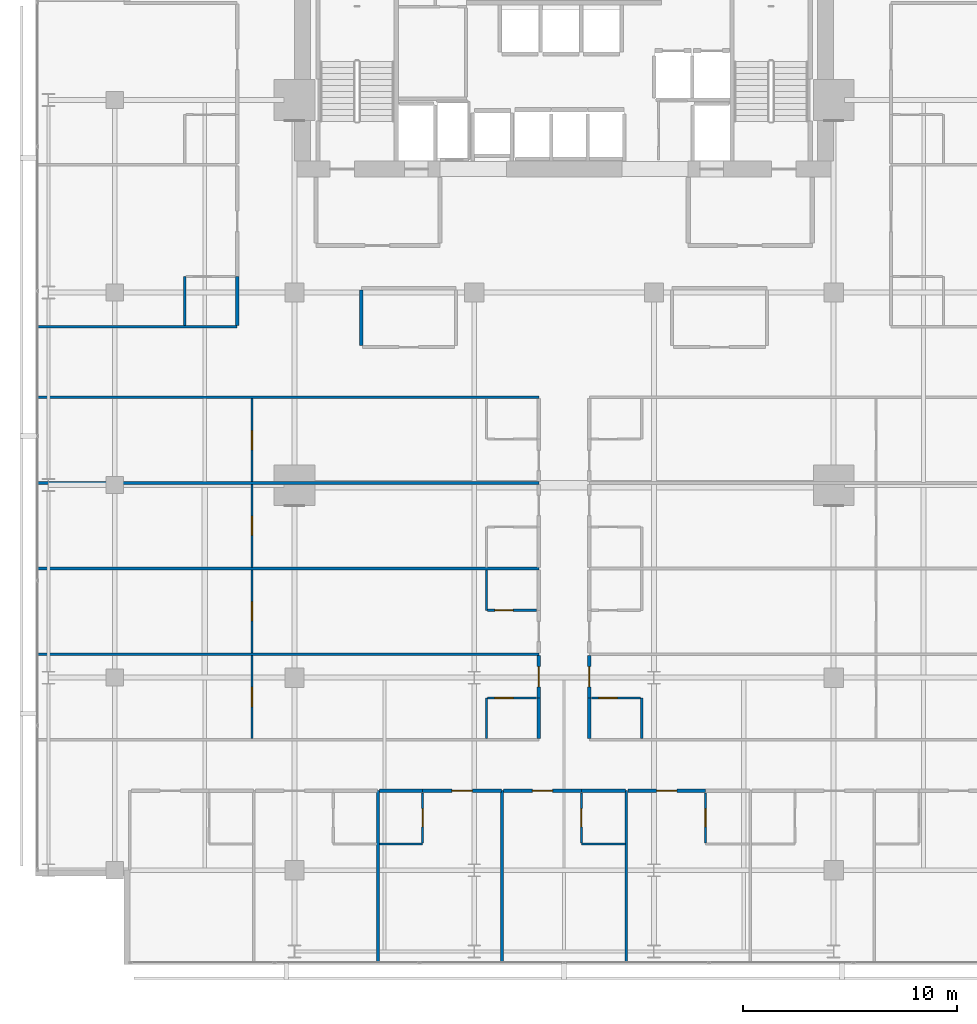
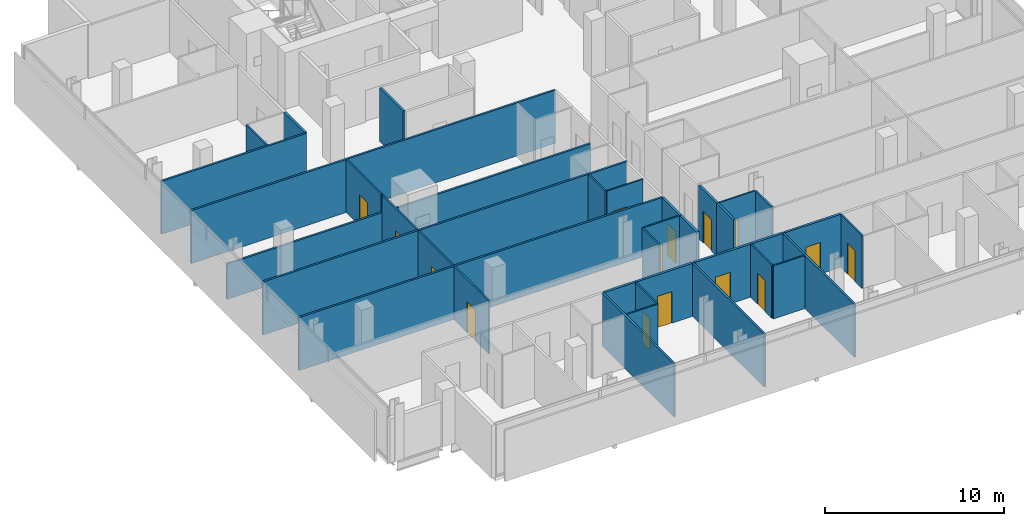
# One storey, part 27 of 34: 35 walls, 15 doors, 15 openings.
"""IFC4 building model written with IfcOpenShell, lengths in metres."""

from ifc_helpers import new_model, si_unit, direction, frame, frame_2d, origin, place, context, subcontext, project, spatial, rectangle, extrude, material, layer, layer_set, type_object, element, fill, save


model = new_model("IFC4")

# Units and contexts
model_context = context("Model", 3, precision=1e-05, world=origin(), true_north=direction((0.0, 1.0)))
body_context = subcontext(model_context, "Body", "Model", "MODEL_VIEW")
ifc_project = project(units=[si_unit("LENGTHUNIT", "METRE"), si_unit("AREAUNIT", "SQUARE_METRE"), si_unit("VOLUMEUNIT", "CUBIC_METRE"), si_unit("PLANEANGLEUNIT", "RADIAN"), si_unit("MASSUNIT", "GRAM", prefix="KILO")], contexts=[model_context])

# Site, building, storey
site_placement = place(None, origin())
site = spatial("IfcSite", under=ifc_project, at=site_placement, CompositionType="ELEMENT")
building_placement = place(site_placement, origin())
building = spatial("IfcBuilding", under=site, at=building_placement, Name="Maruvema Waterfront Hotel and Observation Tower", CompositionType="ELEMENT")
storey_placement = place(building_placement, frame((0.0, 0.0, 131.25)))
storey = spatial("IfcBuildingStorey", under=building, at=storey_placement, Name="L31", CompositionType="ELEMENT", Elevation=131.25)

# Walls
ifc_material_1 = material(Name="Twin-stud acoustic gypsum drywall", Category="gypsum")
ifc_layer_1 = layer(ifc_material_1, 0.14990234375, Name="Acoustic Corridor and Suite Demising Wall 150 mm")
ifc_layer_set_1 = layer_set([ifc_layer_1], Name="Twin-stud acoustic gypsum drywall")
wall_type_1 = type_object("IfcWallType", Name="Acoustic Corridor and Suite Demising Wall 150 mm", PredefinedType="PARTITIONING", material=ifc_layer_set_1)
wall_1_placement = place(storey_placement, frame((28.320068359375, 33.530029296875, 0.0), z_axis=(0.0, 0.0, 1.0), x_axis=(0.0, 1.0, 0.0)))
element("IfcWall", 1, at=wall_1_placement, inside=storey, type_object=wall_type_1, Name="L31 L31-M1 West Wall 018", PredefinedType="PARTITIONING", context=body_context, shape_type="SweptSolid", body=[
    extrude(rectangle(XDim=2.590087890625, YDim=0.14990234375, at=frame_2d((1.294921875, 0.0))), origin(), (0.0, 0.0, 1.0), 3.610107421875),
])
wall_2_placement = place(storey_placement, frame((29.179931640625, 12.719970703125, 0.0), z_axis=(0.0, 0.0, 1.0), x_axis=(1.0, 0.0, 0.0)))
element("IfcWall", 2, at=wall_2_placement, inside=storey, type_object=wall_type_1, Name="L31 Bath L31-S3 Back Wall 037", PredefinedType="PARTITIONING", context=body_context, shape_type="SweptSolid", body=[
    extrude(rectangle(XDim=2.010009765625, YDim=0.14990234375, at=frame_2d((1.0048828125, 0.0))), origin(), (0.0, 0.0, 1.0), 3.610107421875),
])

# Wall, opening, door
wall_3_placement = place(storey_placement, frame((31.18994140625, 12.719970703125, 0.0), z_axis=(0.0, 0.0, 1.0), x_axis=(1.0, 0.0, 0.0)))
wall_3 = element("IfcWall", 3, at=wall_3_placement, inside=storey, type_object=wall_type_1, Name="L31 Unit L31-S3 Corridor Wall 040", PredefinedType="PARTITIONING", context=body_context, shape_type="SweptSolid", body=[
    extrude(rectangle(XDim=3.68994140625, YDim=0.14990234375, at=frame_2d((1.844970703125, 0.0))), origin(), (0.0, 0.0, 1.0), 3.610107421875),
])
opening_1_placement = place(wall_3_placement, frame((1.3701171875, 0.0, 0.0)))
opening_1 = element("IfcOpeningElement", 4, at=opening_1_placement, cuts=wall_3, Name="Opening DR-095", PredefinedType="OPENING", context=body_context, shape_type="SweptSolid", body=[
    extrude(rectangle(XDim=0.949951171875, YDim=2.14990234375, at=frame_2d((0.47509765625, 1.074951171875))), frame((0.0, 0.0849609375, 0.0), z_axis=(0.0, -1.0, 0.0), x_axis=(1.0, 0.0, 0.0)), (0.0, 0.0, 1.0), 0.169921875),
])
ifc_material_2 = material(Name="Acoustic solid-core hardwood timber leaf", Category="wood")
door_type_1 = type_object("IfcDoorType", Name="Guestroom Entrance Fire Door 950x2150 mm", OperationType="NOTDEFINED", PredefinedType="DOOR", material=ifc_material_2)
door_1_placement = place(opening_1_placement, frame((0.949951171875, 0.0, 0.0), z_axis=(0.0, 0.0, 1.0), x_axis=(-1.0, 0.0, 0.0)))
door_1 = element("IfcDoor", 5, at=door_1_placement, inside=storey, type_object=door_type_1, Name="L31 Unit L31-S3 Entrance Door", OperationType="SINGLE_SWING_RIGHT", OverallHeight=2.14990234375, OverallWidth=0.949951171875, PredefinedType="DOOR", context=body_context, shape_type="SweptSolid", body=[
    extrude(rectangle(XDim=0.949951171875, YDim=2.14990234375, at=frame_2d((0.47509765625, 1.074951171875))), frame((0.0, 0.02490234375, 0.0), z_axis=(0.0, -1.0, 0.0), x_axis=(1.0, 0.0, 0.0)), (0.0, 0.0, 1.0), 0.050048828125),
])
fill(opening_1, door_1)

# Wall
wall_4_placement = place(storey_placement, frame((38.610107421875, 12.719970703125, 0.0), z_axis=(0.0, 0.0, 1.0), x_axis=(1.0, 0.0, 0.0)))
element("IfcWall", 6, at=wall_4_placement, inside=storey, type_object=wall_type_1, Name="L31 Bath L31-S4 Back Wall 042", PredefinedType="PARTITIONING", context=body_context, shape_type="SweptSolid", body=[
    extrude(rectangle(XDim=2.06982421875, YDim=0.14990234375, at=frame_2d((1.034912109375, 0.0))), origin(), (0.0, 0.0, 1.0), 3.610107421875),
])

# Wall, opening, door
wall_5_placement = place(storey_placement, frame((34.97998046875, 12.719970703125, 0.0), z_axis=(0.0, 0.0, 1.0), x_axis=(1.0, 0.0, 0.0)))
wall_5 = element("IfcWall", 7, at=wall_5_placement, inside=storey, type_object=wall_type_1, Name="L31 Unit L31-S4 Corridor Wall 045", PredefinedType="PARTITIONING", context=body_context, shape_type="SweptSolid", body=[
    extrude(rectangle(XDim=3.630126953125, YDim=0.14990234375, at=frame_2d((1.81494140625, 0.0))), origin(), (0.0, 0.0, 1.0), 3.610107421875),
])
opening_2_placement = place(wall_5_placement, frame((1.340087890625, 0.0, 0.0)))
opening_2 = element("IfcOpeningElement", 8, at=opening_2_placement, cuts=wall_5, Name="Opening DR-095", PredefinedType="OPENING", context=body_context, shape_type="SweptSolid", body=[
    extrude(rectangle(XDim=0.949951171875, YDim=2.14990234375, at=frame_2d((0.47509765625, 1.074951171875))), frame((0.0, 0.0849609375, 0.0), z_axis=(0.0, -1.0, 0.0), x_axis=(1.0, 0.0, 0.0)), (0.0, 0.0, 1.0), 0.169921875),
])
door_2_placement = place(opening_2_placement, frame((0.949951171875, 0.0, 0.0), z_axis=(0.0, 0.0, 1.0), x_axis=(-1.0, 0.0, 0.0)))
door_2 = element("IfcDoor", 9, at=door_2_placement, inside=storey, type_object=door_type_1, Name="L31 Unit L31-S4 Entrance Door", OperationType="SINGLE_SWING_RIGHT", OverallHeight=2.14990234375, OverallWidth=0.949951171875, PredefinedType="DOOR", context=body_context, shape_type="SweptSolid", body=[
    extrude(rectangle(XDim=0.949951171875, YDim=2.14990234375, at=frame_2d((0.47509765625, 1.074951171875))), frame((0.0, 0.02490234375, 0.0), z_axis=(0.0, -1.0, 0.0), x_axis=(1.0, 0.0, 0.0)), (0.0, 0.0, 1.0), 0.050048828125),
])
fill(opening_2, door_2)

wall_6_placement = place(storey_placement, frame((40.780029296875, 12.719970703125, 0.0), z_axis=(0.0, 0.0, 1.0), x_axis=(1.0, 0.0, 0.0)))
wall_6 = element("IfcWall", 10, at=wall_6_placement, inside=storey, type_object=wall_type_1, Name="L31 Unit L31-S5 Corridor Wall 050", PredefinedType="PARTITIONING", context=body_context, shape_type="SweptSolid", body=[
    extrude(rectangle(XDim=3.6298828125, YDim=0.14990234375, at=frame_2d((1.81494140625, 0.0))), origin(), (0.0, 0.0, 1.0), 3.610107421875),
])
opening_3_placement = place(wall_6_placement, frame((1.340087890625, 0.0, 0.0)))
opening_3 = element("IfcOpeningElement", 11, at=opening_3_placement, cuts=wall_6, Name="Opening DR-095", PredefinedType="OPENING", context=body_context, shape_type="SweptSolid", body=[
    extrude(rectangle(XDim=0.949951171875, YDim=2.14990234375, at=frame_2d((0.47509765625, 1.074951171875))), frame((0.0, 0.0849609375, 0.0), z_axis=(0.0, -1.0, 0.0), x_axis=(1.0, 0.0, 0.0)), (0.0, 0.0, 1.0), 0.169921875),
])
door_3_placement = place(opening_3_placement, frame((0.949951171875, 0.0, 0.0), z_axis=(0.0, 0.0, 1.0), x_axis=(-1.0, 0.0, 0.0)))
door_3 = element("IfcDoor", 12, at=door_3_placement, inside=storey, type_object=door_type_1, Name="L31 Unit L31-S5 Entrance Door", OperationType="SINGLE_SWING_RIGHT", OverallHeight=2.14990234375, OverallWidth=0.949951171875, PredefinedType="DOOR", context=body_context, shape_type="SweptSolid", body=[
    extrude(rectangle(XDim=0.949951171875, YDim=2.14990234375, at=frame_2d((0.47509765625, 1.074951171875))), frame((0.0, 0.02490234375, 0.0), z_axis=(0.0, -1.0, 0.0), x_axis=(1.0, 0.0, 0.0)), (0.0, 0.0, 1.0), 0.050048828125),
])
fill(opening_3, door_3)

# Wall
wall_7_placement = place(storey_placement, frame((36.6201171875, 15.159912109375, 0.0), z_axis=(0.0, 0.0, 1.0), x_axis=(0.0, 1.0, 0.0)))
element("IfcWall", 13, at=wall_7_placement, inside=storey, type_object=wall_type_1, Name="L31 Bath L31-W1 Wall 065", PredefinedType="PARTITIONING", context=body_context, shape_type="SweptSolid", body=[
    extrude(rectangle(XDim=1.89013671875, YDim=0.14990234375, at=frame_2d((0.945068359375, 0.0))), origin(), (0.0, 0.0, 1.0), 3.610107421875),
])

# Wall, opening, door
wall_8_placement = place(storey_placement, frame((36.6201171875, 17.050048828125, 0.0), z_axis=(0.0, 0.0, 1.0), x_axis=(0.0, 1.0, 0.0)))
wall_8 = element("IfcWall", 14, at=wall_8_placement, inside=storey, type_object=wall_type_1, Name="L31 Room L31-W1 Corridor Wall 066", PredefinedType="PARTITIONING", context=body_context, shape_type="SweptSolid", body=[
    extrude(rectangle(XDim=1.989990234375, YDim=0.14990234375, at=frame_2d((0.9951171875, 0.0))), origin(), (0.0, 0.0, 1.0), 3.610107421875),
])
opening_4_placement = place(wall_8_placement, frame((0.52001953125, 0.0, 0.0)))
opening_4 = element("IfcOpeningElement", 15, at=opening_4_placement, cuts=wall_8, Name="Opening DR-095", PredefinedType="OPENING", context=body_context, shape_type="SweptSolid", body=[
    extrude(rectangle(XDim=0.949951171875, YDim=2.14990234375, at=frame_2d((0.47509765625, 1.074951171875))), frame((0.0, 0.0849609375, 0.0), z_axis=(0.0, -1.0, 0.0), x_axis=(1.0, 0.0, 0.0)), (0.0, 0.0, 1.0), 0.169921875),
])
door_4_placement = place(opening_4_placement, origin())
door_4 = element("IfcDoor", 16, at=door_4_placement, inside=storey, type_object=door_type_1, Name="L31 Room L31-W1 Entrance Door", OperationType="SINGLE_SWING_RIGHT", OverallHeight=2.14990234375, OverallWidth=0.949951171875, PredefinedType="DOOR", context=body_context, shape_type="SweptSolid", body=[
    extrude(rectangle(XDim=0.949951171875, YDim=2.14990234375, at=frame_2d((0.47509765625, 1.074951171875))), frame((0.0, 0.02490234375, 0.0), z_axis=(0.0, -1.0, 0.0), x_axis=(1.0, 0.0, 0.0)), (0.0, 0.0, 1.0), 0.050048828125),
])
fill(opening_4, door_4)

# Wall
wall_9_placement = place(storey_placement, frame((38.97998046875, 15.159912109375, 0.0), z_axis=(0.0, 0.0, 1.0), x_axis=(0.0, 1.0, 0.0)))
element("IfcWall", 17, at=wall_9_placement, inside=storey, type_object=wall_type_1, Name="L31 Bath L31-E1 Wall 070", PredefinedType="PARTITIONING", context=body_context, shape_type="SweptSolid", body=[
    extrude(rectangle(XDim=1.89013671875, YDim=0.14990234375, at=frame_2d((0.945068359375, 0.0))), origin(), (0.0, 0.0, 1.0), 3.610107421875),
])

# Wall, opening, door
wall_10_placement = place(storey_placement, frame((38.97998046875, 17.050048828125, 0.0), z_axis=(0.0, 0.0, 1.0), x_axis=(0.0, 1.0, 0.0)))
wall_10 = element("IfcWall", 18, at=wall_10_placement, inside=storey, type_object=wall_type_1, Name="L31 Room L31-E1 Corridor Wall 071", PredefinedType="PARTITIONING", context=body_context, shape_type="SweptSolid", body=[
    extrude(rectangle(XDim=1.989990234375, YDim=0.14990234375, at=frame_2d((0.9951171875, 0.0))), origin(), (0.0, 0.0, 1.0), 3.610107421875),
])
opening_5_placement = place(wall_10_placement, frame((0.52001953125, 0.0, 0.0)))
opening_5 = element("IfcOpeningElement", 19, at=opening_5_placement, cuts=wall_10, Name="Opening DR-095", PredefinedType="OPENING", context=body_context, shape_type="SweptSolid", body=[
    extrude(rectangle(XDim=0.949951171875, YDim=2.14990234375, at=frame_2d((0.47509765625, 1.074951171875))), frame((0.0, 0.0849609375, 0.0), z_axis=(0.0, -1.0, 0.0), x_axis=(1.0, 0.0, 0.0)), (0.0, 0.0, 1.0), 0.169921875),
])
door_5_placement = place(opening_5_placement, frame((0.949951171875, 0.0, 0.0), z_axis=(0.0, 0.0, 1.0), x_axis=(-1.0, 0.0, 0.0)))
door_5 = element("IfcDoor", 20, at=door_5_placement, inside=storey, type_object=door_type_1, Name="L31 Room L31-E1 Entrance Door", OperationType="SINGLE_SWING_LEFT", OverallHeight=2.14990234375, OverallWidth=0.949951171875, PredefinedType="DOOR", context=body_context, shape_type="SweptSolid", body=[
    extrude(rectangle(XDim=0.949951171875, YDim=2.14990234375, at=frame_2d((0.47509765625, 1.074951171875))), frame((0.0, 0.02490234375, 0.0), z_axis=(0.0, -1.0, 0.0), x_axis=(1.0, 0.0, 0.0)), (0.0, 0.0, 1.0), 0.050048828125),
])
fill(opening_5, door_5)

# Walls
wall_11_placement = place(storey_placement, frame((22.52001953125, 34.4599609375, 0.0), z_axis=(0.0, 0.0, 1.0), x_axis=(0.0, 1.0, 0.0)))
element("IfcWall", 21, at=wall_11_placement, inside=storey, type_object=wall_type_1, Name="L31 Bath L31-NW1 Wall 115", PredefinedType="PARTITIONING", context=body_context, shape_type="SweptSolid", body=[
    extrude(rectangle(XDim=2.2900390625, YDim=0.14990234375, at=frame_2d((1.14501953125, 0.0))), origin(), (0.0, 0.0, 1.0), 3.610107421875),
])
ifc_material_3 = material(Name="Moisture-resistant cement-board drywall", Category="gypsum")
ifc_layer_2 = layer(ifc_material_3, 0.10009765625, Name="En-Suite Moisture-Resistant Partition 100 mm")
ifc_layer_set_2 = layer_set([ifc_layer_2], Name="Moisture-resistant cement-board drywall")
wall_type_2 = type_object("IfcWallType", Name="En-Suite Moisture-Resistant Partition 100 mm", PredefinedType="PARTITIONING", material=ifc_layer_set_2)
wall_12_placement = place(storey_placement, frame((29.179931640625, 10.219970703125, 0.0), z_axis=(0.0, 0.0, 1.0), x_axis=(1.0, 0.0, 0.0)))
element("IfcWall", 22, at=wall_12_placement, inside=storey, type_object=wall_type_2, Name="L31 En-Suite L31-S3 South 038", PredefinedType="PARTITIONING", context=body_context, shape_type="SweptSolid", body=[
    extrude(rectangle(XDim=2.010009765625, YDim=0.10009765625, at=frame_2d((1.0048828125, 0.0))), origin(), (0.0, 0.0, 1.0), 3.610107421875),
])

# Wall, opening, door
wall_13_placement = place(storey_placement, frame((31.18994140625, 10.280029296875, 0.0), z_axis=(0.0, 0.0, 1.0), x_axis=(0.0, 1.0, 0.0)))
wall_13 = element("IfcWall", 23, at=wall_13_placement, inside=storey, type_object=wall_type_2, Name="L31 En-Suite L31-S3 East 039", PredefinedType="PARTITIONING", context=body_context, shape_type="SweptSolid", body=[
    extrude(rectangle(XDim=2.340087890625, YDim=0.10009765625, at=frame_2d((1.169921875, 0.0))), origin(), (0.0, 0.0, 1.0), 3.610107421875),
])
opening_6_placement = place(wall_13_placement, frame((0.7451171875, 0.0, 0.0)))
opening_6 = element("IfcOpeningElement", 24, at=opening_6_placement, cuts=wall_13, Name="Opening DR-085", PredefinedType="OPENING", context=body_context, shape_type="SweptSolid", body=[
    extrude(rectangle(XDim=0.85009765625, YDim=2.10009765625, at=frame_2d((0.425048828125, 1.050048828125))), frame((0.0, 0.06005859375, 0.0), z_axis=(0.0, -1.0, 0.0), x_axis=(1.0, 0.0, 0.0)), (0.0, 0.0, 1.0), 0.1201171875),
])
ifc_material_4 = material(Name="Moisture-resistant solid timber leaf", Category="wood")
door_type_2 = type_object("IfcDoorType", Name="En-Suite Bathroom Door 850x2100 mm", OperationType="NOTDEFINED", PredefinedType="DOOR", material=ifc_material_4)
door_6_placement = place(opening_6_placement, frame((0.85009765625, 0.0, 0.0), z_axis=(0.0, 0.0, 1.0), x_axis=(-1.0, 0.0, 0.0)))
door_6 = element("IfcDoor", 25, at=door_6_placement, inside=storey, type_object=door_type_2, Name="L31 En-Suite L31-S3 Door", OperationType="SINGLE_SWING_LEFT", OverallHeight=2.10009765625, OverallWidth=0.85009765625, PredefinedType="DOOR", context=body_context, shape_type="SweptSolid", body=[
    extrude(rectangle(XDim=0.85009765625, YDim=2.10009765625, at=frame_2d((0.425048828125, 1.050048828125))), frame((0.0, 0.02490234375, 0.0), z_axis=(0.0, -1.0, 0.0), x_axis=(1.0, 0.0, 0.0)), (0.0, 0.0, 1.0), 0.050048828125),
])
fill(opening_6, door_6)

# Wall
wall_14_placement = place(storey_placement, frame((38.610107421875, 10.219970703125, 0.0), z_axis=(0.0, 0.0, 1.0), x_axis=(1.0, 0.0, 0.0)))
element("IfcWall", 26, at=wall_14_placement, inside=storey, type_object=wall_type_2, Name="L31 En-Suite L31-S4 South 043", PredefinedType="PARTITIONING", context=body_context, shape_type="SweptSolid", body=[
    extrude(rectangle(XDim=2.0498046875, YDim=0.10009765625, at=frame_2d((1.02490234375, 0.0))), origin(), (0.0, 0.0, 1.0), 3.610107421875),
])

# Wall, opening, door
wall_15_placement = place(storey_placement, frame((38.610107421875, 10.280029296875, 0.0), z_axis=(0.0, 0.0, 1.0), x_axis=(0.0, 1.0, 0.0)))
wall_15 = element("IfcWall", 27, at=wall_15_placement, inside=storey, type_object=wall_type_2, Name="L31 En-Suite L31-S4 West 044", PredefinedType="PARTITIONING", context=body_context, shape_type="SweptSolid", body=[
    extrude(rectangle(XDim=2.340087890625, YDim=0.10009765625, at=frame_2d((1.169921875, 0.0))), origin(), (0.0, 0.0, 1.0), 3.610107421875),
])
opening_7_placement = place(wall_15_placement, frame((0.7451171875, 0.0, 0.0)))
opening_7 = element("IfcOpeningElement", 28, at=opening_7_placement, cuts=wall_15, Name="Opening DR-085", PredefinedType="OPENING", context=body_context, shape_type="SweptSolid", body=[
    extrude(rectangle(XDim=0.85009765625, YDim=2.10009765625, at=frame_2d((0.425048828125, 1.050048828125))), frame((0.0, 0.06005859375, 0.0), z_axis=(0.0, -1.0, 0.0), x_axis=(1.0, 0.0, 0.0)), (0.0, 0.0, 1.0), 0.1201171875),
])
door_7_placement = place(opening_7_placement, origin())
door_7 = element("IfcDoor", 29, at=door_7_placement, inside=storey, type_object=door_type_2, Name="L31 En-Suite L31-S4 Door", OperationType="SINGLE_SWING_LEFT", OverallHeight=2.10009765625, OverallWidth=0.85009765625, PredefinedType="DOOR", context=body_context, shape_type="SweptSolid", body=[
    extrude(rectangle(XDim=0.85009765625, YDim=2.10009765625, at=frame_2d((0.425048828125, 1.050048828125))), frame((0.0, 0.02490234375, 0.0), z_axis=(0.0, -1.0, 0.0), x_axis=(1.0, 0.0, 0.0)), (0.0, 0.0, 1.0), 0.050048828125),
])
fill(opening_7, door_7)

wall_16_placement = place(storey_placement, frame((44.409912109375, 10.280029296875, 0.0), z_axis=(0.0, 0.0, 1.0), x_axis=(0.0, 1.0, 0.0)))
wall_16 = element("IfcWall", 30, at=wall_16_placement, inside=storey, type_object=wall_type_2, Name="L31 En-Suite L31-S5 West 049", PredefinedType="PARTITIONING", context=body_context, shape_type="SweptSolid", body=[
    extrude(rectangle(XDim=2.340087890625, YDim=0.10009765625, at=frame_2d((1.169921875, 0.0))), origin(), (0.0, 0.0, 1.0), 3.610107421875),
])
opening_8_placement = place(wall_16_placement, frame((0.7451171875, 0.0, 0.0)))
opening_8 = element("IfcOpeningElement", 31, at=opening_8_placement, cuts=wall_16, Name="Opening DR-085", PredefinedType="OPENING", context=body_context, shape_type="SweptSolid", body=[
    extrude(rectangle(XDim=0.85009765625, YDim=2.10009765625, at=frame_2d((0.425048828125, 1.050048828125))), frame((0.0, 0.06005859375, 0.0), z_axis=(0.0, -1.0, 0.0), x_axis=(1.0, 0.0, 0.0)), (0.0, 0.0, 1.0), 0.1201171875),
])
door_8_placement = place(opening_8_placement, origin())
door_8 = element("IfcDoor", 32, at=door_8_placement, inside=storey, type_object=door_type_2, Name="L31 En-Suite L31-S5 Door", OperationType="SINGLE_SWING_LEFT", OverallHeight=2.10009765625, OverallWidth=0.85009765625, PredefinedType="DOOR", context=body_context, shape_type="SweptSolid", body=[
    extrude(rectangle(XDim=0.85009765625, YDim=2.10009765625, at=frame_2d((0.425048828125, 1.050048828125))), frame((0.0, 0.02490234375, 0.0), z_axis=(0.0, -1.0, 0.0), x_axis=(1.0, 0.0, 0.0)), (0.0, 0.0, 1.0), 0.050048828125),
])
fill(opening_8, door_8)

# Wall
wall_17_placement = place(storey_placement, frame((34.169921875, 15.159912109375, 0.0), z_axis=(0.0, 0.0, 1.0), x_axis=(0.0, 1.0, 0.0)))
element("IfcWall", 33, at=wall_17_placement, inside=storey, type_object=wall_type_2, Name="L31 En-Suite L31-W1 W 067", PredefinedType="PARTITIONING", context=body_context, shape_type="SweptSolid", body=[
    extrude(rectangle(XDim=1.89013671875, YDim=0.10009765625, at=frame_2d((0.945068359375, 0.0))), origin(), (0.0, 0.0, 1.0), 3.610107421875),
])

# Wall, opening, door
wall_18_placement = place(storey_placement, frame((34.219970703125, 17.050048828125, 0.0), z_axis=(0.0, 0.0, 1.0), x_axis=(1.0, 0.0, 0.0)))
wall_18 = element("IfcWall", 34, at=wall_18_placement, inside=storey, type_object=wall_type_2, Name="L31 En-Suite L31-W1 N 068", PredefinedType="PARTITIONING", context=body_context, shape_type="SweptSolid", body=[
    extrude(rectangle(XDim=2.300048828125, YDim=0.10009765625, at=frame_2d((1.14990234375, 0.0))), origin(), (0.0, 0.0, 1.0), 3.610107421875),
])
opening_9_placement = place(wall_18_placement, frame((0.35009765625, 0.0, 0.0)))
opening_9 = element("IfcOpeningElement", 35, at=opening_9_placement, cuts=wall_18, Name="Opening DR-085", PredefinedType="OPENING", context=body_context, shape_type="SweptSolid", body=[
    extrude(rectangle(XDim=0.85009765625, YDim=2.10009765625, at=frame_2d((0.425048828125, 1.050048828125))), frame((0.0, 0.06005859375, 0.0), z_axis=(0.0, -1.0, 0.0), x_axis=(1.0, 0.0, 0.0)), (0.0, 0.0, 1.0), 0.1201171875),
])
door_9_placement = place(opening_9_placement, origin())
door_9 = element("IfcDoor", 36, at=door_9_placement, inside=storey, type_object=door_type_2, Name="L31 En-Suite L31-W1 Door", OperationType="SINGLE_SWING_LEFT", OverallHeight=2.10009765625, OverallWidth=0.85009765625, PredefinedType="DOOR", context=body_context, shape_type="SweptSolid", body=[
    extrude(rectangle(XDim=0.85009765625, YDim=2.10009765625, at=frame_2d((0.425048828125, 1.050048828125))), frame((0.0, 0.02490234375, 0.0), z_axis=(0.0, -1.0, 0.0), x_axis=(1.0, 0.0, 0.0)), (0.0, 0.0, 1.0), 0.050048828125),
])
fill(opening_9, door_9)

wall_19_placement = place(storey_placement, frame((23.213623046875, 15.159912109375, 0.0), z_axis=(0.0, 0.0, 1.0), x_axis=(0.0, 1.0, 0.0)))
wall_19 = element("IfcWall", 37, at=wall_19_placement, inside=storey, type_object=wall_type_2, Name="L31 Suite L31-W1 Split 069", PredefinedType="PARTITIONING", context=body_context, shape_type="SweptSolid", body=[
    extrude(rectangle(XDim=3.880126953125, YDim=0.10009765625, at=frame_2d((1.93994140625, 0.0))), origin(), (0.0, 0.0, 1.0), 3.610107421875),
])
opening_10_placement = place(wall_19_placement, frame((1.489990234375, 0.0, 0.0)))
opening_10 = element("IfcOpeningElement", 38, at=opening_10_placement, cuts=wall_19, Name="Opening DR-090", PredefinedType="OPENING", context=body_context, shape_type="SweptSolid", body=[
    extrude(rectangle(XDim=0.89990234375, YDim=2.10009765625, at=frame_2d((0.449951171875, 1.050048828125))), frame((0.0, 0.06005859375, 0.0), z_axis=(0.0, -1.0, 0.0), x_axis=(1.0, 0.0, 0.0)), (0.0, 0.0, 1.0), 0.1201171875),
])
ifc_material_5 = material(Name="Solid-core lacquered timber leaf", Category="wood")
door_type_3 = type_object("IfcDoorType", Name="Accessible Toilet and Room Door 900x2100 mm", OperationType="NOTDEFINED", PredefinedType="DOOR", material=ifc_material_5)
door_10_placement = place(opening_10_placement, origin())
door_10 = element("IfcDoor", 39, at=door_10_placement, inside=storey, type_object=door_type_3, Name="L31 Suite L31-W1 Bedroom Door", OperationType="SINGLE_SWING_LEFT", OverallHeight=2.10009765625, OverallWidth=0.89990234375, PredefinedType="DOOR", context=body_context, shape_type="SweptSolid", body=[
    extrude(rectangle(XDim=0.89990234375, YDim=2.10009765625, at=frame_2d((0.449951171875, 1.050048828125))), frame((0.0, 0.02490234375, 0.0), z_axis=(0.0, -1.0, 0.0), x_axis=(1.0, 0.0, 0.0)), (0.0, 0.0, 1.0), 0.050048828125),
])
fill(opening_10, door_10)

# Wall
wall_20_placement = place(storey_placement, frame((41.429931640625, 15.159912109375, 0.0), z_axis=(0.0, 0.0, 1.0), x_axis=(0.0, 1.0, 0.0)))
element("IfcWall", 40, at=wall_20_placement, inside=storey, type_object=wall_type_2, Name="L31 En-Suite L31-E1 E 072", PredefinedType="PARTITIONING", context=body_context, shape_type="SweptSolid", body=[
    extrude(rectangle(XDim=1.89013671875, YDim=0.10009765625, at=frame_2d((0.945068359375, 0.0))), origin(), (0.0, 0.0, 1.0), 3.610107421875),
])

# Wall, opening, door
wall_21_placement = place(storey_placement, frame((39.080078125, 17.050048828125, 0.0), z_axis=(0.0, 0.0, 1.0), x_axis=(1.0, 0.0, 0.0)))
wall_21 = element("IfcWall", 41, at=wall_21_placement, inside=storey, type_object=wall_type_2, Name="L31 En-Suite L31-E1 N 073", PredefinedType="PARTITIONING", context=body_context, shape_type="SweptSolid", body=[
    extrude(rectangle(XDim=2.2998046875, YDim=0.10009765625, at=frame_2d((1.14990234375, 0.0))), origin(), (0.0, 0.0, 1.0), 3.610107421875),
])
opening_11_placement = place(wall_21_placement, frame((0.35009765625, 0.0, 0.0)))
opening_11 = element("IfcOpeningElement", 42, at=opening_11_placement, cuts=wall_21, Name="Opening DR-085", PredefinedType="OPENING", context=body_context, shape_type="SweptSolid", body=[
    extrude(rectangle(XDim=0.85009765625, YDim=2.10009765625, at=frame_2d((0.425048828125, 1.050048828125))), frame((0.0, 0.06005859375, 0.0), z_axis=(0.0, -1.0, 0.0), x_axis=(1.0, 0.0, 0.0)), (0.0, 0.0, 1.0), 0.1201171875),
])
door_11_placement = place(opening_11_placement, origin())
door_11 = element("IfcDoor", 43, at=door_11_placement, inside=storey, type_object=door_type_2, Name="L31 En-Suite L31-E1 Door", OperationType="SINGLE_SWING_RIGHT", OverallHeight=2.10009765625, OverallWidth=0.85009765625, PredefinedType="DOOR", context=body_context, shape_type="SweptSolid", body=[
    extrude(rectangle(XDim=0.85009765625, YDim=2.10009765625, at=frame_2d((0.425048828125, 1.050048828125))), frame((0.0, 0.02490234375, 0.0), z_axis=(0.0, -1.0, 0.0), x_axis=(1.0, 0.0, 0.0)), (0.0, 0.0, 1.0), 0.050048828125),
])
fill(opening_11, door_11)

# Wall
wall_22_placement = place(storey_placement, frame((34.169921875, 21.14990234375, 0.0), z_axis=(0.0, 0.0, 1.0), x_axis=(0.0, 1.0, 0.0)))
element("IfcWall", 44, at=wall_22_placement, inside=storey, type_object=wall_type_2, Name="L31 En-Suite L31-W2 W 079", PredefinedType="PARTITIONING", context=body_context, shape_type="SweptSolid", body=[
    extrude(rectangle(XDim=1.89013671875, YDim=0.10009765625, at=frame_2d((0.945068359375, 0.0))), origin(), (0.0, 0.0, 1.0), 3.610107421875),
])

# Wall, opening, door
wall_23_placement = place(storey_placement, frame((34.219970703125, 21.14990234375, 0.0), z_axis=(0.0, 0.0, 1.0), x_axis=(1.0, 0.0, 0.0)))
wall_23 = element("IfcWall", 45, at=wall_23_placement, inside=storey, type_object=wall_type_2, Name="L31 En-Suite L31-W2 S 080", PredefinedType="PARTITIONING", context=body_context, shape_type="SweptSolid", body=[
    extrude(rectangle(XDim=2.300048828125, YDim=0.10009765625, at=frame_2d((1.14990234375, 0.0))), origin(), (0.0, 0.0, 1.0), 3.610107421875),
])
opening_12_placement = place(wall_23_placement, frame((0.35009765625, 0.0, 0.0)))
opening_12 = element("IfcOpeningElement", 46, at=opening_12_placement, cuts=wall_23, Name="Opening DR-085", PredefinedType="OPENING", context=body_context, shape_type="SweptSolid", body=[
    extrude(rectangle(XDim=0.85009765625, YDim=2.10009765625, at=frame_2d((0.425048828125, 1.050048828125))), frame((0.0, 0.06005859375, 0.0), z_axis=(0.0, -1.0, 0.0), x_axis=(1.0, 0.0, 0.0)), (0.0, 0.0, 1.0), 0.1201171875),
])
door_12_placement = place(opening_12_placement, frame((0.85009765625, 0.0, 0.0), z_axis=(0.0, 0.0, 1.0), x_axis=(-1.0, 0.0, 0.0)))
door_12 = element("IfcDoor", 47, at=door_12_placement, inside=storey, type_object=door_type_2, Name="L31 En-Suite L31-W2 Door", OperationType="SINGLE_SWING_LEFT", OverallHeight=2.10009765625, OverallWidth=0.85009765625, PredefinedType="DOOR", context=body_context, shape_type="SweptSolid", body=[
    extrude(rectangle(XDim=0.85009765625, YDim=2.10009765625, at=frame_2d((0.425048828125, 1.050048828125))), frame((0.0, 0.02490234375, 0.0), z_axis=(0.0, -1.0, 0.0), x_axis=(1.0, 0.0, 0.0)), (0.0, 0.0, 1.0), 0.050048828125),
])
fill(opening_12, door_12)

wall_24_placement = place(storey_placement, frame((23.213623046875, 19.159912109375, 0.0), z_axis=(0.0, 0.0, 1.0), x_axis=(0.0, 1.0, 0.0)))
wall_24 = element("IfcWall", 48, at=wall_24_placement, inside=storey, type_object=wall_type_2, Name="L31 Suite L31-W2 Split 081", PredefinedType="PARTITIONING", context=body_context, shape_type="SweptSolid", body=[
    extrude(rectangle(XDim=3.880126953125, YDim=0.10009765625, at=frame_2d((1.93994140625, 0.0))), origin(), (0.0, 0.0, 1.0), 3.610107421875),
])
opening_13_placement = place(wall_24_placement, frame((1.489990234375, 0.0, 0.0)))
opening_13 = element("IfcOpeningElement", 49, at=opening_13_placement, cuts=wall_24, Name="Opening DR-090", PredefinedType="OPENING", context=body_context, shape_type="SweptSolid", body=[
    extrude(rectangle(XDim=0.89990234375, YDim=2.10009765625, at=frame_2d((0.449951171875, 1.050048828125))), frame((0.0, 0.06005859375, 0.0), z_axis=(0.0, -1.0, 0.0), x_axis=(1.0, 0.0, 0.0)), (0.0, 0.0, 1.0), 0.1201171875),
])
door_13_placement = place(opening_13_placement, origin())
door_13 = element("IfcDoor", 50, at=door_13_placement, inside=storey, type_object=door_type_3, Name="L31 Suite L31-W2 Bedroom Door", OperationType="SINGLE_SWING_LEFT", OverallHeight=2.10009765625, OverallWidth=0.89990234375, PredefinedType="DOOR", context=body_context, shape_type="SweptSolid", body=[
    extrude(rectangle(XDim=0.89990234375, YDim=2.10009765625, at=frame_2d((0.449951171875, 1.050048828125))), frame((0.0, 0.02490234375, 0.0), z_axis=(0.0, -1.0, 0.0), x_axis=(1.0, 0.0, 0.0)), (0.0, 0.0, 1.0), 0.050048828125),
])
fill(opening_13, door_13)

wall_25_placement = place(storey_placement, frame((23.213623046875, 23.159912109375, 0.0), z_axis=(0.0, 0.0, 1.0), x_axis=(0.0, 1.0, 0.0)))
wall_25 = element("IfcWall", 51, at=wall_25_placement, inside=storey, type_object=wall_type_2, Name="L31 Suite L31-W3 Split 093", PredefinedType="PARTITIONING", context=body_context, shape_type="SweptSolid", body=[
    extrude(rectangle(XDim=3.880126953125, YDim=0.10009765625, at=frame_2d((1.93994140625, 0.0))), origin(), (0.0, 0.0, 1.0), 3.610107421875),
])
opening_14_placement = place(wall_25_placement, frame((1.489990234375, 0.0, 0.0)))
opening_14 = element("IfcOpeningElement", 52, at=opening_14_placement, cuts=wall_25, Name="Opening DR-090", PredefinedType="OPENING", context=body_context, shape_type="SweptSolid", body=[
    extrude(rectangle(XDim=0.89990234375, YDim=2.10009765625, at=frame_2d((0.449951171875, 1.050048828125))), frame((0.0, 0.06005859375, 0.0), z_axis=(0.0, -1.0, 0.0), x_axis=(1.0, 0.0, 0.0)), (0.0, 0.0, 1.0), 0.1201171875),
])
door_14_placement = place(opening_14_placement, origin())
door_14 = element("IfcDoor", 53, at=door_14_placement, inside=storey, type_object=door_type_3, Name="L31 Suite L31-W3 Bedroom Door", OperationType="SINGLE_SWING_LEFT", OverallHeight=2.10009765625, OverallWidth=0.89990234375, PredefinedType="DOOR", context=body_context, shape_type="SweptSolid", body=[
    extrude(rectangle(XDim=0.89990234375, YDim=2.10009765625, at=frame_2d((0.449951171875, 1.050048828125))), frame((0.0, 0.02490234375, 0.0), z_axis=(0.0, -1.0, 0.0), x_axis=(1.0, 0.0, 0.0)), (0.0, 0.0, 1.0), 0.050048828125),
])
fill(opening_14, door_14)

wall_26_placement = place(storey_placement, frame((23.213623046875, 27.159912109375, 0.0), z_axis=(0.0, 0.0, 1.0), x_axis=(0.0, 1.0, 0.0)))
wall_26 = element("IfcWall", 54, at=wall_26_placement, inside=storey, type_object=wall_type_2, Name="L31 Suite L31-W4 Split 105", PredefinedType="PARTITIONING", context=body_context, shape_type="SweptSolid", body=[
    extrude(rectangle(XDim=3.880126953125, YDim=0.10009765625, at=frame_2d((1.93994140625, 0.0))), origin(), (0.0, 0.0, 1.0), 3.610107421875),
])
opening_15_placement = place(wall_26_placement, frame((1.489990234375, 0.0, 0.0)))
opening_15 = element("IfcOpeningElement", 55, at=opening_15_placement, cuts=wall_26, Name="Opening DR-090", PredefinedType="OPENING", context=body_context, shape_type="SweptSolid", body=[
    extrude(rectangle(XDim=0.89990234375, YDim=2.10009765625, at=frame_2d((0.449951171875, 1.050048828125))), frame((0.0, 0.06005859375, 0.0), z_axis=(0.0, -1.0, 0.0), x_axis=(1.0, 0.0, 0.0)), (0.0, 0.0, 1.0), 0.1201171875),
])
door_15_placement = place(opening_15_placement, origin())
door_15 = element("IfcDoor", 56, at=door_15_placement, inside=storey, type_object=door_type_3, Name="L31 Suite L31-W4 Bedroom Door", OperationType="SINGLE_SWING_LEFT", OverallHeight=2.10009765625, OverallWidth=0.89990234375, PredefinedType="DOOR", context=body_context, shape_type="SweptSolid", body=[
    extrude(rectangle(XDim=0.89990234375, YDim=2.10009765625, at=frame_2d((0.449951171875, 1.050048828125))), frame((0.0, 0.02490234375, 0.0), z_axis=(0.0, -1.0, 0.0), x_axis=(1.0, 0.0, 0.0)), (0.0, 0.0, 1.0), 0.050048828125),
])
fill(opening_15, door_15)

# Walls
wall_27_placement = place(storey_placement, frame((20.070068359375, 34.4599609375, 0.0), z_axis=(0.0, 0.0, 1.0), x_axis=(0.0, 1.0, 0.0)))
element("IfcWall", 57, at=wall_27_placement, inside=storey, type_object=wall_type_2, Name="L31 En-Suite L31-NW1 W 117", PredefinedType="PARTITIONING", context=body_context, shape_type="SweptSolid", body=[
    extrude(rectangle(XDim=2.2900390625, YDim=0.10009765625, at=frame_2d((1.14501953125, 0.0))), origin(), (0.0, 0.0, 1.0), 3.610107421875),
])
ifc_material_6 = material(Name="Acoustic gypsum plasterboard drywall", Category="gypsum")
ifc_layer_3 = layer(ifc_material_6, 0.125, Name="Guestroom Acoustic Demising Wall 125 mm")
ifc_layer_set_3 = layer_set([ifc_layer_3], Name="Acoustic gypsum plasterboard drywall")
wall_type_3 = type_object("IfcWallType", Name="Guestroom Acoustic Demising Wall 125 mm", PredefinedType="PARTITIONING", material=ifc_layer_set_3)
for number, where, z_axis, x_axis, name in (
    (58, (29.10009765625, 4.699951171875, 0.0), (0.0, 0.0, 1.0), (0.0, 1.0, 0.0), "L31 Z2 S Demising 3 036"),
    (59, (34.89990234375, 4.699951171875, 0.0), (0.0, 0.0, 1.0), (0.0, 1.0, 0.0), "L31 Z2 S Demising 4 041"),
    (60, (40.699951171875, 4.699951171875, 0.0), (0.0, 0.0, 1.0), (0.0, 1.0, 0.0), "L31 Z2 S Demising 5 046"),
):
    element("IfcWall", number, at=place(storey_placement, frame(where, z_axis=z_axis, x_axis=x_axis)), inside=storey, type_object=wall_type_3, Name=name, PredefinedType="PARTITIONING", context=body_context, shape_type="SweptSolid", body=[
        extrude(rectangle(XDim=8.02001953125, YDim=0.125, at=frame_2d((4.010009765625, 0.0))), origin(), (0.0, 0.0, 1.0), 3.610107421875),
    ])
for number, where, z_axis, x_axis, name in (
    (61, (13.199951171875, 31.10009765625, 0.0), (0.0, 0.0, 1.0), (1.0, 0.0, 0.0), "L31 Z2 W Top End 063"),
    (62, (13.199951171875, 19.10009765625, 0.0), (0.0, 0.0, 1.0), (1.0, 0.0, 0.0), "L31 Z2 W Demising 2 075"),
    (63, (13.199951171875, 23.10009765625, 0.0), (0.0, 0.0, 1.0), (1.0, 0.0, 0.0), "L31 Z2 W Demising 3 087"),
):
    element("IfcWall", number, at=place(storey_placement, frame(where, z_axis=z_axis, x_axis=x_axis)), inside=storey, type_object=wall_type_3, Name=name, PredefinedType="PARTITIONING", context=body_context, shape_type="SweptSolid", body=[
        extrude(rectangle(XDim=23.420166015625, YDim=0.125, at=frame_2d((11.7099609375, 0.0))), origin(), (0.0, 0.0, 1.0), 3.610107421875),
    ])
wall_28_placement = place(storey_placement, frame((13.199951171875, 27.10009765625, 0.0), z_axis=(0.0, 0.0, 1.0), x_axis=(1.0, 0.0, 0.0)))
element("IfcWall", 64, at=wall_28_placement, inside=storey, type_object=wall_type_3, Name="L31 Z2 W Demising 4 099", PredefinedType="PARTITIONING", context=body_context, shape_type="SweptSolid", body=[
    extrude(rectangle(XDim=23.420166015625, YDim=0.125, at=frame_2d((11.7099609375, 0.0))), origin(), (0.0, 0.0, 1.0), 2.409912109375),
])
wall_29_placement = place(storey_placement, frame((13.199951171875, 34.39990234375, 0.0), z_axis=(0.0, 0.0, 1.0), x_axis=(1.0, 0.0, 0.0)))
element("IfcWall", 65, at=wall_29_placement, inside=storey, type_object=wall_type_3, Name="L31 Z2 NW Bot End 111", PredefinedType="PARTITIONING", context=body_context, shape_type="SweptSolid", body=[
    extrude(rectangle(XDim=9.320068359375, YDim=0.125, at=frame_2d((4.66015625, 0.0))), origin(), (0.0, 0.0, 1.0), 3.610107421875),
])

save(model, "model.ifc")
